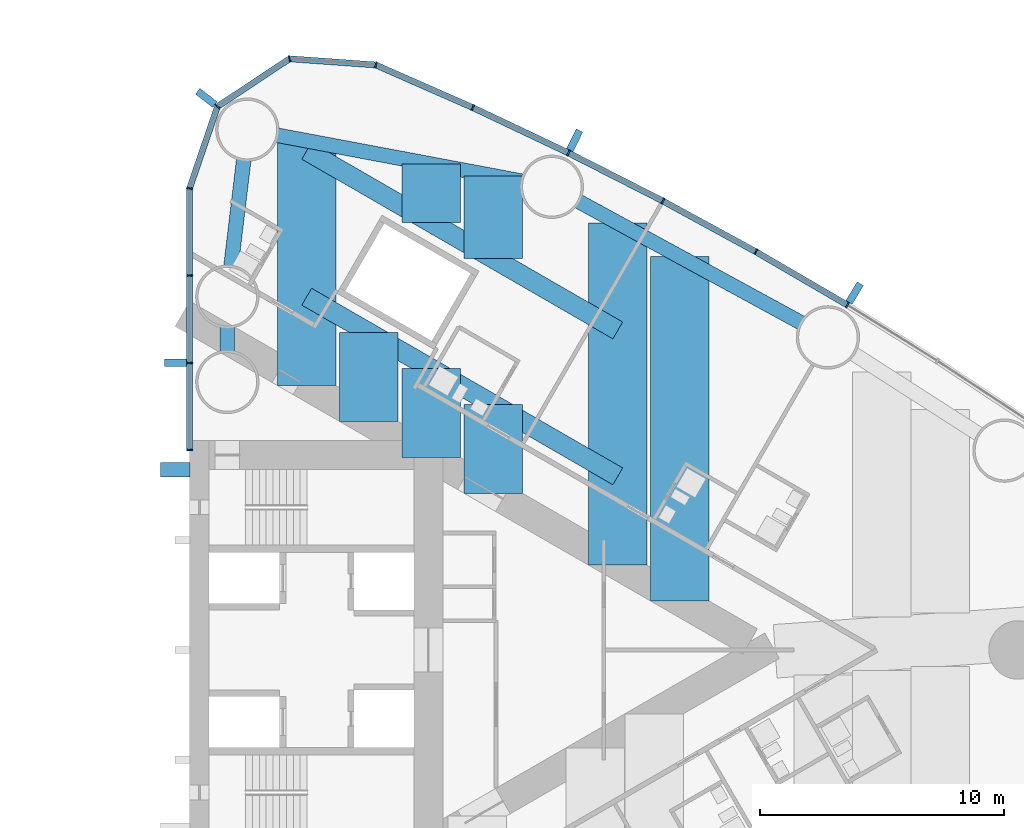
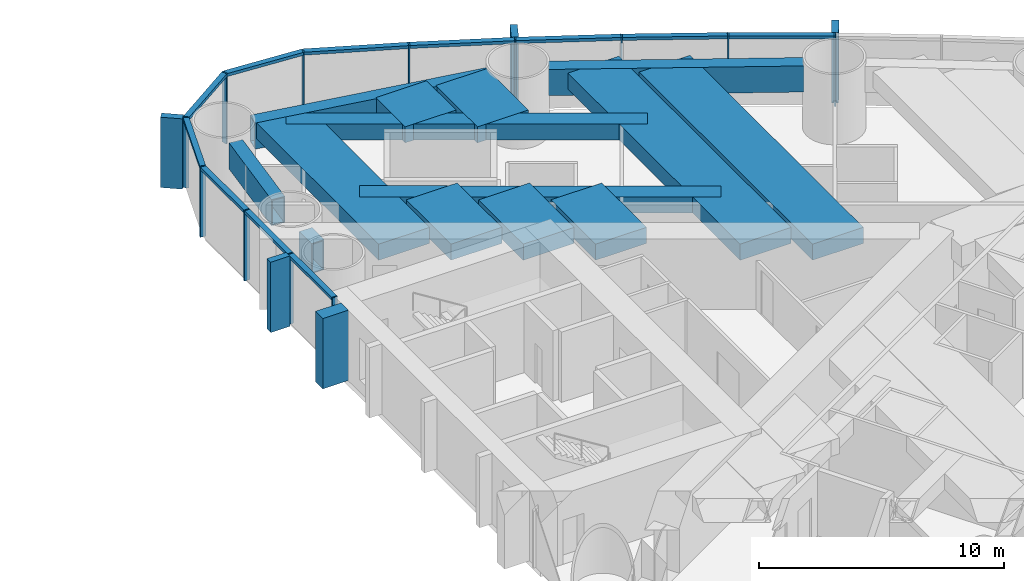
# One storey, part 7 of 19: 28 members, 14 beams, 1 element without a shape of its own.
"""IFC4 building model written with IfcOpenShell, lengths in metres."""

from ifc_helpers import new_model, si_unit, direction, frame, origin, origin_2d, place, context, subcontext, project, spatial, rectangle, hollow_rectangle, extrude, material, material_profile, profile_set, type_object, element, aggregate, save


model = new_model("IFC4")

# Units and contexts
model_context = context("Model", 3, precision=1e-05, world=origin(), true_north=direction((0.0, 1.0)))
body_context = subcontext(model_context, "Body", "Model", "MODEL_VIEW")
ifc_project = project(units=[si_unit("LENGTHUNIT", "METRE"), si_unit("AREAUNIT", "SQUARE_METRE"), si_unit("VOLUMEUNIT", "CUBIC_METRE"), si_unit("PLANEANGLEUNIT", "RADIAN"), si_unit("MASSUNIT", "GRAM", prefix="KILO")], contexts=[model_context])

# Site, building, storey
site_placement = place(None, origin())
site = spatial("IfcSite", under=ifc_project, at=site_placement, CompositionType="ELEMENT")
building_placement = place(site_placement, origin())
building = spatial("IfcBuilding", under=site, at=building_placement, Name="Lancet Gate Hotel", CompositionType="ELEMENT")
storey_placement = place(building_placement, frame((0.0, 0.0, 90.60009765625)))
storey = spatial("IfcBuildingStorey", under=building, at=storey_placement, Name="L23", CompositionType="ELEMENT", Elevation=90.60009765625)

# Curtain wall, members
ifc_material_1 = material(Name="Aluminium curtain wall", Category="aluminium")
curtain_wall_type = type_object("IfcCurtainWallType", Name="Tower unitised curtain wall", PredefinedType="USERDEFINED", material=ifc_material_1)
curtain_wall_placement = place(storey_placement, origin())
curtain_wall = element("IfcCurtainWall", 1, at=curtain_wall_placement, inside=storey, type_object=curtain_wall_type, Name="T2 L23 curtain wall 1", ObjectType="UNITISED CURTAIN WALL", PredefinedType="USERDEFINED")
ifc_material_2 = material(Name="Aluminium mullion", Category="aluminium")
ifc_material_profile_1 = material_profile(ifc_material_2, rectangle(XDim=0.06494140625, YDim=0.25, at=origin_2d()), Name="MULLION 65x250")
ifc_profile_set_1 = profile_set([ifc_material_profile_1], Name="Aluminium mullion")
member_type_1 = type_object("IfcMemberType", Name="Aluminium mullion 65x250", PredefinedType="MULLION", material=ifc_profile_set_1)
member_1_placement = place(storey_placement, frame((54.496337890625, 14.1552734375, 0.0), z_axis=(0.0, 0.0, 1.0), x_axis=(-0.856728030701, 0.515768437781, 0.0)))
member_1 = element("IfcMember", 2, at=member_1_placement, type_object=member_type_1, Name="T2 L23 curtain wall 1 mullion 23", PredefinedType="MULLION", context=body_context, shape_type="SweptSolid", body=[
    extrude(rectangle(XDim=0.06494140625, YDim=0.25, at=origin_2d()), origin(), (0.0, 0.0, 1.0), 3.5),
])
member_2_placement = place(storey_placement, frame((50.740478515625, 16.344482421875, 0.0), z_axis=(0.0, 0.0, 1.0), x_axis=(-0.871028838445, 0.491231882716, 0.0)))
member_2 = element("IfcMember", 3, at=member_2_placement, type_object=member_type_1, Name="T2 L23 curtain wall 1 mullion 24", PredefinedType="MULLION", context=body_context, shape_type="SweptSolid", body=[
    extrude(rectangle(XDim=0.06494140625, YDim=0.25, at=origin_2d()), origin(), (0.0, 0.0, 1.0), 3.5),
])
member_3_placement = place(storey_placement, frame((46.923828125, 18.426025390625, 0.0), z_axis=(0.0, 0.0, 1.0), x_axis=(-0.884627112962, 0.466299121822, 0.0)))
member_3 = element("IfcMember", 4, at=member_3_placement, type_object=member_type_1, Name="T2 L23 curtain wall 1 mullion 25", PredefinedType="MULLION", context=body_context, shape_type="SweptSolid", body=[
    extrude(rectangle(XDim=0.06494140625, YDim=0.25, at=origin_2d()), origin(), (0.0, 0.0, 1.0), 3.5),
])
member_4_placement = place(storey_placement, frame((43.0498046875, 20.398193359375, 0.0), z_axis=(0.0, 0.0, 1.0), x_axis=(-0.897511886496, 0.440990264743, 0.0)))
member_4 = element("IfcMember", 5, at=member_4_placement, type_object=member_type_1, Name="T2 L23 curtain wall 1 mullion 26", PredefinedType="MULLION", context=body_context, shape_type="SweptSolid", body=[
    extrude(rectangle(XDim=0.06494140625, YDim=0.25, at=origin_2d()), origin(), (0.0, 0.0, 1.0), 3.5),
])
member_5_placement = place(storey_placement, frame((39.12109375, 22.259765625, 0.0), z_axis=(0.0, 0.0, 1.0), x_axis=(-0.909672766767, 0.415325724465, 0.0)))
member_5 = element("IfcMember", 6, at=member_5_placement, type_object=member_type_1, Name="T2 L23 curtain wall 1 mullion 27", PredefinedType="MULLION", context=body_context, shape_type="SweptSolid", body=[
    extrude(rectangle(XDim=0.06494140625, YDim=0.25, at=origin_2d()), origin(), (0.0, 0.0, 1.0), 3.5),
])
member_6_placement = place(storey_placement, frame((35.141357421875, 24.009033203125, 0.0), z_axis=(0.0, 0.0, 1.0), x_axis=(-0.966317378791, 0.257353304711, 0.0)))
member_6 = element("IfcMember", 7, at=member_6_placement, type_object=member_type_1, Name="T2 L23 curtain wall 1 mullion 28", PredefinedType="MULLION", context=body_context, shape_type="SweptSolid", body=[
    extrude(rectangle(XDim=0.06494140625, YDim=0.25, at=origin_2d()), origin(), (0.0, 0.0, 1.0), 3.5),
])
member_7_placement = place(storey_placement, frame((31.60205078125, 24.26220703125, 0.0), z_axis=(0.0, 0.0, 1.0), x_axis=(-0.967157174963, -0.254179068604, 0.0)))
member_7 = element("IfcMember", 8, at=member_7_placement, type_object=member_type_1, Name="T2 L23 curtain wall 1 mullion 29", PredefinedType="MULLION", context=body_context, shape_type="SweptSolid", body=[
    extrude(rectangle(XDim=0.06494140625, YDim=0.25, at=origin_2d()), origin(), (0.0, 0.0, 1.0), 3.5),
])
member_8_placement = place(storey_placement, frame((28.64453125, 22.301513671875, 0.0), z_axis=(0.0, 0.0, 1.0), x_axis=(-0.610663954798, -0.79188984986, 0.0)))
member_8 = element("IfcMember", 9, at=member_8_placement, type_object=member_type_1, Name="T2 L23 curtain wall 1 mullion 30", PredefinedType="MULLION", context=body_context, shape_type="SweptSolid", body=[
    extrude(rectangle(XDim=0.06494140625, YDim=0.25, at=origin_2d()), origin(), (0.0, 0.0, 1.0), 3.5),
])
member_9_placement = place(storey_placement, frame((27.5, 18.94287109375, 0.0), z_axis=(0.0, 0.0, 1.0), x_axis=(-0.162738742557, -0.986669195663, 0.0)))
member_9 = element("IfcMember", 10, at=member_9_placement, type_object=member_type_1, Name="T2 L23 curtain wall 1 mullion 31", PredefinedType="MULLION", context=body_context, shape_type="SweptSolid", body=[
    extrude(rectangle(XDim=0.06494140625, YDim=0.25, at=origin_2d()), origin(), (0.0, 0.0, 1.0), 3.5),
])
member_10_placement = place(storey_placement, frame((27.5, 15.362060546875, 0.0), z_axis=(0.0, 0.0, 1.0), x_axis=(0.0, -1.0, 0.0)))
member_10 = element("IfcMember", 11, at=member_10_placement, type_object=member_type_1, Name="T2 L23 curtain wall 1 mullion 32", PredefinedType="MULLION", context=body_context, shape_type="SweptSolid", body=[
    extrude(rectangle(XDim=0.06494140625, YDim=0.25, at=origin_2d()), origin(), (0.0, 0.0, 1.0), 3.5),
])
member_11_placement = place(storey_placement, frame((27.5, 11.781005859375, 0.0), z_axis=(0.0, 0.0, 1.0), x_axis=(0.0, -1.0, 0.0)))
member_11 = element("IfcMember", 12, at=member_11_placement, type_object=member_type_1, Name="T2 L23 curtain wall 1 mullion 33", PredefinedType="MULLION", context=body_context, shape_type="SweptSolid", body=[
    extrude(rectangle(XDim=0.06494140625, YDim=0.25, at=origin_2d()), origin(), (0.0, 0.0, 1.0), 3.5),
])
member_12_placement = place(storey_placement, frame((27.5, 8.199951171875, 0.0), z_axis=(0.0, 0.0, 1.0), x_axis=(0.0, -1.0, 0.0)))
member_12 = element("IfcMember", 13, at=member_12_placement, type_object=member_type_1, Name="T2 L23 curtain wall 1 mullion 34", PredefinedType="MULLION", context=body_context, shape_type="SweptSolid", body=[
    extrude(rectangle(XDim=0.06494140625, YDim=0.25, at=origin_2d()), origin(), (0.0, 0.0, 1.0), 3.5),
])
ifc_material_3 = material(Name="Aluminium transom", Category="aluminium")
ifc_material_profile_2 = material_profile(ifc_material_3, rectangle(XDim=0.25, YDim=0.14990234375, at=origin_2d()), Name="TRANSOM 250x150")
ifc_profile_set_2 = profile_set([ifc_material_profile_2], Name="Aluminium transom")
member_type_2 = type_object("IfcMemberType", Name="Aluminium transom 250x150", PredefinedType="USERDEFINED", material=ifc_profile_set_2)
member_13_placement = place(storey_placement, frame((54.46826171875, 14.171630859375, 3.4248046875), z_axis=(-0.863973212152, 0.503537772847, 0.0), x_axis=(-0.503537772847, -0.863973212152, 0.0)))
member_13 = element("IfcMember", 14, at=member_13_placement, type_object=member_type_2, Name="T2 L23 curtain wall 1 transom 23", ObjectType="TRANSOM", PredefinedType="USERDEFINED", context=body_context, shape_type="SweptSolid", body=[
    extrude(rectangle(XDim=0.25, YDim=0.14990234375, at=origin_2d()), origin(), (0.0, 0.0, 1.0), 4.2822265625),
])
member_14_placement = place(storey_placement, frame((50.7119140625, 16.35986328125, 3.4248046875), z_axis=(-0.877906466435, 0.478832158685, 0.0), x_axis=(-0.478832158685, -0.877906466435, 0.0)))
member_14 = element("IfcMember", 15, at=member_14_placement, type_object=member_type_2, Name="T2 L23 curtain wall 1 transom 24", ObjectType="TRANSOM", PredefinedType="USERDEFINED", context=body_context, shape_type="SweptSolid", body=[
    extrude(rectangle(XDim=0.25, YDim=0.14990234375, at=origin_2d()), origin(), (0.0, 0.0, 1.0), 4.282470703125),
])
member_15_placement = place(storey_placement, frame((46.89501953125, 18.440673828125, 3.4248046875), z_axis=(-0.891165630033, 0.453678101574, 0.0), x_axis=(-0.453678101574, -0.891165630033, 0.0)))
member_15 = element("IfcMember", 16, at=member_15_placement, type_object=member_type_2, Name="T2 L23 curtain wall 1 transom 25", ObjectType="TRANSOM", PredefinedType="USERDEFINED", context=body_context, shape_type="SweptSolid", body=[
    extrude(rectangle(XDim=0.25, YDim=0.14990234375, at=origin_2d()), origin(), (0.0, 0.0, 1.0), 4.282470703125),
])
member_16_placement = place(storey_placement, frame((43.0205078125, 20.412109375, 3.4248046875), z_axis=(-0.903679787814, 0.428208875546, 0.0), x_axis=(-0.428208875546, -0.903679787814, 0.0)))
member_16 = element("IfcMember", 17, at=member_16_placement, type_object=member_type_2, Name="T2 L23 curtain wall 1 transom 26", ObjectType="TRANSOM", PredefinedType="USERDEFINED", context=body_context, shape_type="SweptSolid", body=[
    extrude(rectangle(XDim=0.25, YDim=0.14990234375, at=origin_2d()), origin(), (0.0, 0.0, 1.0), 4.282470703125),
])
member_17_placement = place(storey_placement, frame((39.09130859375, 22.27294921875, 3.4248046875), z_axis=(-0.915484772266, 0.402352621155, 0.0), x_axis=(-0.402352621155, -0.915484772266, 0.0)))
member_17 = element("IfcMember", 18, at=member_17_placement, type_object=member_type_2, Name="T2 L23 curtain wall 1 transom 27", ObjectType="TRANSOM", PredefinedType="USERDEFINED", context=body_context, shape_type="SweptSolid", body=[
    extrude(rectangle(XDim=0.25, YDim=0.14990234375, at=origin_2d()), origin(), (0.0, 0.0, 1.0), 4.281982421875),
])
member_18_placement = place(storey_placement, frame((35.10888671875, 24.01123046875, 3.4248046875), z_axis=(-0.997446232115, 0.071421383636, 0.0), x_axis=(-0.071421383636, -0.997446232115, 0.0)))
member_18 = element("IfcMember", 19, at=member_18_placement, type_object=member_type_2, Name="T2 L23 curtain wall 1 transom 28", ObjectType="TRANSOM", PredefinedType="USERDEFINED", context=body_context, shape_type="SweptSolid", body=[
    extrude(rectangle(XDim=0.25, YDim=0.14990234375, at=origin_2d()), origin(), (0.0, 0.0, 1.0), 3.483154296875),
])
member_19_placement = place(storey_placement, frame((31.574951171875, 24.244384765625, 3.4248046875), z_axis=(-0.833470854141, -0.552563421968, 0.0), x_axis=(0.552563421968, -0.833470854141, 0.0)))
member_19 = element("IfcMember", 20, at=member_19_placement, type_object=member_type_2, Name="T2 L23 curtain wall 1 transom 29", ObjectType="TRANSOM", PredefinedType="USERDEFINED", context=body_context, shape_type="SweptSolid", body=[
    extrude(rectangle(XDim=0.25, YDim=0.14990234375, at=origin_2d()), origin(), (0.0, 0.0, 1.0), 3.4833984375),
])
member_20_placement = place(storey_placement, frame((28.634033203125, 22.270751953125, 3.4248046875), z_axis=(-0.322549769135, -0.946552505903, 0.0), x_axis=(0.946552505903, -0.322549769135, 0.0)))
member_20 = element("IfcMember", 21, at=member_20_placement, type_object=member_type_2, Name="T2 L23 curtain wall 1 transom 30", ObjectType="TRANSOM", PredefinedType="USERDEFINED", context=body_context, shape_type="SweptSolid", body=[
    extrude(rectangle(XDim=0.25, YDim=0.14990234375, at=origin_2d()), origin(), (0.0, 0.0, 1.0), 3.4833984375),
])
member_21_placement = place(storey_placement, frame((27.5, 18.910400390625, 3.4248046875), z_axis=(0.0, -1.0, 0.0), x_axis=(1.0, 0.0, 0.0)))
member_21 = element("IfcMember", 22, at=member_21_placement, type_object=member_type_2, Name="T2 L23 curtain wall 1 transom 31", ObjectType="TRANSOM", PredefinedType="USERDEFINED", context=body_context, shape_type="SweptSolid", body=[
    extrude(rectangle(XDim=0.25, YDim=0.14990234375, at=origin_2d()), origin(), (0.0, 0.0, 1.0), 3.515869140625),
])
member_22_placement = place(storey_placement, frame((27.5, 15.329345703125, 3.4248046875), z_axis=(0.0, -1.0, 0.0), x_axis=(1.0, 0.0, 0.0)))
member_22 = element("IfcMember", 23, at=member_22_placement, type_object=member_type_2, Name="T2 L23 curtain wall 1 transom 32", ObjectType="TRANSOM", PredefinedType="USERDEFINED", context=body_context, shape_type="SweptSolid", body=[
    extrude(rectangle(XDim=0.25, YDim=0.14990234375, at=origin_2d()), origin(), (0.0, 0.0, 1.0), 3.515869140625),
])
member_23_placement = place(storey_placement, frame((27.5, 11.74853515625, 3.4248046875), z_axis=(0.0, -1.0, 0.0), x_axis=(1.0, 0.0, 0.0)))
member_23 = element("IfcMember", 24, at=member_23_placement, type_object=member_type_2, Name="T2 L23 curtain wall 1 transom 33", ObjectType="TRANSOM", PredefinedType="USERDEFINED", context=body_context, shape_type="SweptSolid", body=[
    extrude(rectangle(XDim=0.25, YDim=0.14990234375, at=origin_2d()), origin(), (0.0, 0.0, 1.0), 3.51611328125),
])

# Beams
ifc_material_4 = material(Name="Steel S460QL", Category="steel")
ifc_material_profile_3 = material_profile(ifc_material_4, hollow_rectangle(XDim=0.60009765625, YDim=1.300048828125, WallThickness=0.050048828125, at=origin_2d()), Name="BOX 1300x600x50")
ifc_profile_set_3 = profile_set([ifc_material_profile_3], Name="Steel S460QL")
beam_type_1 = type_object("IfcBeamType", Name="Edge beam BOX 1300x600x50", PredefinedType="SPANDREL", material=ifc_profile_set_3)
beam_1_placement = place(storey_placement, frame((52.599609375, 13.42578125, 2.599853515625), z_axis=(-0.877909917705, 0.47882583096, 0.0), x_axis=(-0.47882583096, -0.877909917705, 0.0)))
element("IfcBeam", 25, at=beam_1_placement, inside=storey, type_object=beam_type_1, Name="T2 edge beam EB2 L23", PredefinedType="SPANDREL", context=body_context, shape_type="SweptSolid", body=[
    extrude(hollow_rectangle(XDim=0.60009765625, YDim=1.300048828125, WallThickness=0.050048828125, at=origin_2d()), origin(), (0.0, 0.0, 1.0), 10.406494140625),
])
beam_2_placement = place(storey_placement, frame((41.1376953125, 19.238037109375, 2.599853515625), z_axis=(-0.982796328432, 0.184692655027, 0.0), x_axis=(-0.184692655027, -0.982796328432, 0.0)))
element("IfcBeam", 26, at=beam_2_placement, inside=storey, type_object=beam_type_1, Name="T2 edge beam EB2 L23", PredefinedType="SPANDREL", context=body_context, shape_type="SweptSolid", body=[
    extrude(hollow_rectangle(XDim=0.60009765625, YDim=1.300048828125, WallThickness=0.050048828125, at=origin_2d()), origin(), (0.0, 0.0, 1.0), 10.212890625),
])
beam_3_placement = place(storey_placement, frame((29.19873046875, 15.7412109375, 2.599853515625), z_axis=(0.119073085639, 0.992885492026, 0.0), x_axis=(-0.992885492026, 0.119073085639, 0.0)))
element("IfcBeam", 27, at=beam_3_placement, inside=storey, type_object=beam_type_1, Name="T2 edge beam EB2 L23", PredefinedType="SPANDREL", context=body_context, shape_type="SweptSolid", body=[
    extrude(hollow_rectangle(XDim=0.60009765625, YDim=1.300048828125, WallThickness=0.050048828125, at=origin_2d()), origin(), (0.0, 0.0, 1.0), 4.404052734375),
])

# Member
ifc_material_5 = material(Name="Concrete C60/75", Category="concrete")
ifc_material_profile_4 = material_profile(ifc_material_5, rectangle(XDim=0.60009765625, YDim=1.199951171875, at=origin_2d()), Name="FIN 600x1200")
ifc_profile_set_4 = profile_set([ifc_material_profile_4], Name="Concrete C60/75")
member_type_3 = type_object("IfcMemberType", Name="Exposed concrete buttress pilaster 600x1200", PredefinedType="USERDEFINED", material=ifc_profile_set_4)
member_24_placement = place(storey_placement, frame((26.909912109375, 7.39990234375, 0.0), z_axis=(0.0, 0.0, 1.0), x_axis=(0.0, 1.0, 0.0)))
element("IfcMember", 28, at=member_24_placement, inside=storey, type_object=member_type_3, Name="T2 buttress pilaster N L23", ObjectType="FIN", PredefinedType="USERDEFINED", context=body_context, shape_type="SweptSolid", body=[
    extrude(rectangle(XDim=0.60009765625, YDim=1.199951171875, at=origin_2d()), origin(), (0.0, 0.0, 1.0), 3.5),
])

ifc_material_6 = material(Name="Precast concrete C50/60", Category="concrete")
ifc_material_profile_5 = material_profile(ifc_material_6, rectangle(XDim=0.300048828125, YDim=0.89990234375, at=origin_2d()), Name="FIN 300x900")
ifc_profile_set_5 = profile_set([ifc_material_profile_5], Name="Precast concrete C50/60")
member_type_4 = type_object("IfcMemberType", Name="Exposed concrete fin 300x900", PredefinedType="USERDEFINED", material=ifc_profile_set_5)
member_25_placement = place(storey_placement, frame((54.79296875, 14.64794921875, 0.0), z_axis=(0.0, 0.0, 1.0), x_axis=(-0.856728030701, 0.515768437781, 0.0)))
member_25 = element("IfcMember", 29, at=member_25_placement, type_object=member_type_4, Name="T2 L23 curtain wall 1 fin 23", ObjectType="FIN", PredefinedType="USERDEFINED", context=body_context, shape_type="SweptSolid", body=[
    extrude(rectangle(XDim=0.300048828125, YDim=0.89990234375, at=origin_2d()), origin(), (0.0, 0.0, 1.0), 3.5),
])

member_26_placement = place(storey_placement, frame((43.30322265625, 20.914306640625, 0.0), z_axis=(0.0, 0.0, 1.0), x_axis=(-0.897511886496, 0.440990264743, 0.0)))
member_26 = element("IfcMember", 30, at=member_26_placement, type_object=member_type_4, Name="T2 L23 curtain wall 1 fin 26", ObjectType="FIN", PredefinedType="USERDEFINED", context=body_context, shape_type="SweptSolid", body=[
    extrude(rectangle(XDim=0.300048828125, YDim=0.89990234375, at=origin_2d()), origin(), (0.0, 0.0, 1.0), 3.5),
])

member_27_placement = place(storey_placement, frame((28.189208984375, 22.65283203125, 0.0), z_axis=(0.0, 0.0, 1.0), x_axis=(-0.610663954798, -0.79188984986, 0.0)))
member_27 = element("IfcMember", 31, at=member_27_placement, type_object=member_type_4, Name="T2 L23 curtain wall 1 fin 30", ObjectType="FIN", PredefinedType="USERDEFINED", context=body_context, shape_type="SweptSolid", body=[
    extrude(rectangle(XDim=0.300048828125, YDim=0.89990234375, at=origin_2d()), origin(), (0.0, 0.0, 1.0), 3.5),
])

member_28_placement = place(storey_placement, frame((26.925048828125, 11.781005859375, 0.0), z_axis=(0.0, 0.0, 1.0), x_axis=(0.0, -1.0, 0.0)))
member_28 = element("IfcMember", 32, at=member_28_placement, type_object=member_type_4, Name="T2 L23 curtain wall 1 fin 33", ObjectType="FIN", PredefinedType="USERDEFINED", context=body_context, shape_type="SweptSolid", body=[
    extrude(rectangle(XDim=0.300048828125, YDim=0.89990234375, at=origin_2d()), origin(), (0.0, 0.0, 1.0), 3.5),
])

aggregate(curtain_wall, [member_1, member_25, member_2, member_3, member_4, member_26, member_5, member_6, member_7, member_8, member_27, member_9, member_10, member_11, member_28, member_12, member_13, member_14, member_15, member_16, member_17, member_18, member_19, member_20, member_21, member_22, member_23])

# Beams
ifc_material_7 = material(Name="Concrete C50/60", Category="concrete")
ifc_material_profile_6 = material_profile(ifc_material_7, rectangle(XDim=2.39990234375, YDim=0.800048828125, at=origin_2d()), Name="RC 2400x800")
ifc_profile_set_6 = profile_set([ifc_material_profile_6], Name="Concrete C50/60")
beam_type_2 = type_object("IfcBeamType", Name="Floor beam RC 2400x800", PredefinedType="BEAM", material=ifc_profile_set_6)
beam_4_placement = place(storey_placement, frame((32.306396484375, 10.851806640625, 2.849853515625), z_axis=(0.0, 1.0, 0.0), x_axis=(-1.0, 0.0, 0.0)))
element("IfcBeam", 33, at=beam_4_placement, inside=storey, type_object=beam_type_2, Name="T2 floor beam F02N L23", PredefinedType="BEAM", context=body_context, shape_type="SweptSolid", body=[
    extrude(rectangle(XDim=2.39990234375, YDim=0.800048828125, at=origin_2d()), origin(), (0.0, 0.0, 1.0), 10.0458984375),
])
beam_5_placement = place(storey_placement, frame((45.072265625, 3.4814453125, 2.849853515625), z_axis=(0.0, 1.0, 0.0), x_axis=(-1.0, 0.0, 0.0)))
element("IfcBeam", 34, at=beam_5_placement, inside=storey, type_object=beam_type_2, Name="T2 floor beam F10N L23", PredefinedType="BEAM", context=body_context, shape_type="SweptSolid", body=[
    extrude(rectangle(XDim=2.39990234375, YDim=0.800048828125, at=origin_2d()), origin(), (0.0, 0.0, 1.0), 14.0498046875),
])
beam_6_placement = place(storey_placement, frame((47.62548828125, 2.00732421875, 2.849853515625), z_axis=(0.0, 1.0, 0.0), x_axis=(-1.0, 0.0, 0.0)))
element("IfcBeam", 35, at=beam_6_placement, inside=storey, type_object=beam_type_2, Name="T2 floor beam F12N L23", PredefinedType="BEAM", context=body_context, shape_type="SweptSolid", body=[
    extrude(rectangle(XDim=2.39990234375, YDim=0.800048828125, at=origin_2d()), origin(), (0.0, 0.0, 1.0), 14.13134765625),
])
beam_7_placement = place(storey_placement, frame((34.859619140625, 9.377685546875, 2.849853515625), z_axis=(0.0, 1.0, 0.0), x_axis=(-1.0, 0.0, 0.0)))
element("IfcBeam", 36, at=beam_7_placement, inside=storey, type_object=beam_type_2, Name="T2 floor beam F04NA L23", PredefinedType="BEAM", context=body_context, shape_type="SweptSolid", body=[
    extrude(rectangle(XDim=2.39990234375, YDim=0.800048828125, at=origin_2d()), origin(), (0.0, 0.0, 1.0), 3.645751953125),
])
beam_8_placement = place(storey_placement, frame((37.412841796875, 7.903564453125, 2.849853515625), z_axis=(0.0, 1.0, 0.0), x_axis=(-1.0, 0.0, 0.0)))
element("IfcBeam", 37, at=beam_8_placement, inside=storey, type_object=beam_type_2, Name="T2 floor beam F06NA L23", PredefinedType="BEAM", context=body_context, shape_type="SweptSolid", body=[
    extrude(rectangle(XDim=2.39990234375, YDim=0.800048828125, at=origin_2d()), origin(), (0.0, 0.0, 1.0), 3.6455078125),
])
beam_9_placement = place(storey_placement, frame((37.412841796875, 17.537109375, 2.849853515625), z_axis=(0.0, 1.0, 0.0), x_axis=(-1.0, 0.0, 0.0)))
element("IfcBeam", 38, at=beam_9_placement, inside=storey, type_object=beam_type_2, Name="T2 floor beam F06NB L23", PredefinedType="BEAM", context=body_context, shape_type="SweptSolid", body=[
    extrude(rectangle(XDim=2.39990234375, YDim=0.800048828125, at=origin_2d()), origin(), (0.0, 0.0, 1.0), 2.40087890625),
])
beam_10_placement = place(storey_placement, frame((39.9658203125, 6.429443359375, 2.849853515625), z_axis=(0.0, 1.0, 0.0), x_axis=(-1.0, 0.0, 0.0)))
element("IfcBeam", 39, at=beam_10_placement, inside=storey, type_object=beam_type_2, Name="T2 floor beam F08NA L23", PredefinedType="BEAM", context=body_context, shape_type="SweptSolid", body=[
    extrude(rectangle(XDim=2.39990234375, YDim=0.800048828125, at=origin_2d()), origin(), (0.0, 0.0, 1.0), 3.64501953125),
])
beam_11_placement = place(storey_placement, frame((39.9658203125, 16.062744140625, 2.849853515625), z_axis=(0.0, 1.0, 0.0), x_axis=(-1.0, 0.0, 0.0)))
element("IfcBeam", 40, at=beam_11_placement, inside=storey, type_object=beam_type_2, Name="T2 floor beam F08NB L23", PredefinedType="BEAM", context=body_context, shape_type="SweptSolid", body=[
    extrude(rectangle(XDim=2.39990234375, YDim=0.800048828125, at=origin_2d()), origin(), (0.0, 0.0, 1.0), 3.3955078125),
])
ifc_material_8 = material(Name="Steel S460QL", Category="steel")
ifc_material_profile_7 = material_profile(ifc_material_8, hollow_rectangle(XDim=0.60009765625, YDim=1.5, WallThickness=0.050048828125, at=origin_2d()), Name="BOX 1500x600x50")
ifc_profile_set_7 = profile_set([ifc_material_profile_7], Name="Steel S460QL")
beam_type_3 = type_object("IfcBeamType", Name="Inner-face link beam BOX 1500x600x50", PredefinedType="BEAM", material=ifc_profile_set_7)
beam_12_placement = place(storey_placement, frame((29.050048828125, 12.25, 2.5), z_axis=(0.0, 1.0, 0.0), x_axis=(-1.0, 0.0, 0.0)))
element("IfcBeam", 41, at=beam_12_placement, inside=storey, type_object=beam_type_3, Name="T2 inner-face link beam LK1 L23", PredefinedType="BEAM", context=body_context, shape_type="SweptSolid", body=[
    extrude(hollow_rectangle(XDim=0.60009765625, YDim=1.5, WallThickness=0.050048828125, at=origin_2d()), origin(), (0.0, 0.0, 1.0), 1.0),
])
ifc_material_9 = material(Name="Steel S460QL", Category="steel")
ifc_material_profile_8 = material_profile(ifc_material_9, hollow_rectangle(XDim=0.800048828125, YDim=0.800048828125, WallThickness=0.080078125, at=origin_2d()), Name="BOX 800x800x80")
ifc_profile_set_8 = profile_set([ifc_material_profile_8], Name="Steel S460QL")
beam_type_4 = type_object("IfcBeamType", Name="Trimmer beam BOX 800x800x80", PredefinedType="BEAM", material=ifc_profile_set_8)
beam_13_placement = place(storey_placement, frame((32.306396484375, 20.48583984375, 2.849853515625), z_axis=(0.86598286195, -0.500073677381, 0.0), x_axis=(0.500073677381, 0.86598286195, 0.0)))
element("IfcBeam", 42, at=beam_13_placement, inside=storey, type_object=beam_type_4, Name="T2 trimmer beam TR03N L23", PredefinedType="BEAM", context=body_context, shape_type="SweptSolid", body=[
    extrude(hollow_rectangle(XDim=0.800048828125, YDim=0.800048828125, WallThickness=0.080078125, at=origin_2d()), origin(), (0.0, 0.0, 1.0), 14.741455078125),
])
beam_14_placement = place(storey_placement, frame((32.306396484375, 14.497802734375, 2.849853515625), z_axis=(0.865975689888, -0.500086097111, 0.0), x_axis=(0.500086097111, 0.865975689888, 0.0)))
element("IfcBeam", 43, at=beam_14_placement, inside=storey, type_object=beam_type_4, Name="T2 trimmer beam TR04N L23", PredefinedType="BEAM", context=body_context, shape_type="SweptSolid", body=[
    extrude(hollow_rectangle(XDim=0.800048828125, YDim=0.800048828125, WallThickness=0.080078125, at=origin_2d()), origin(), (0.0, 0.0, 1.0), 14.74169921875),
])

save(model, "model.ifc")
